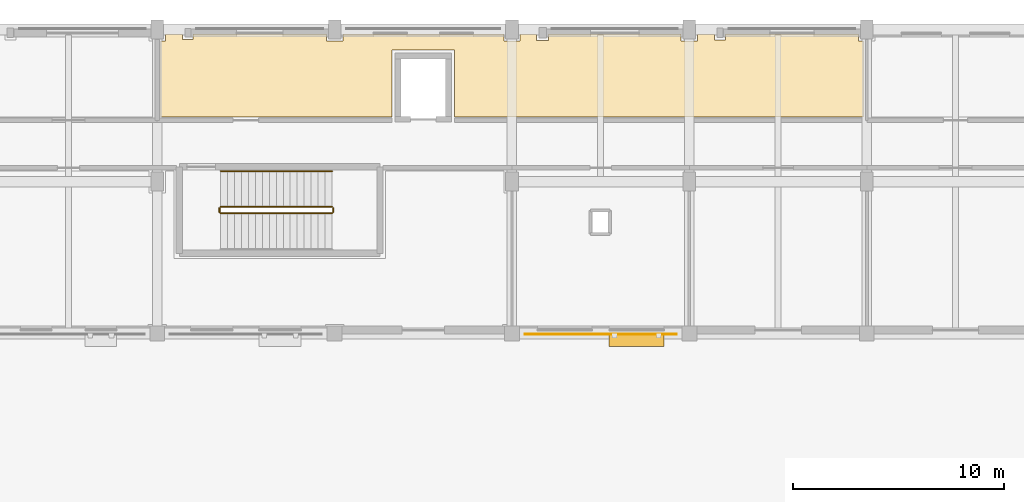
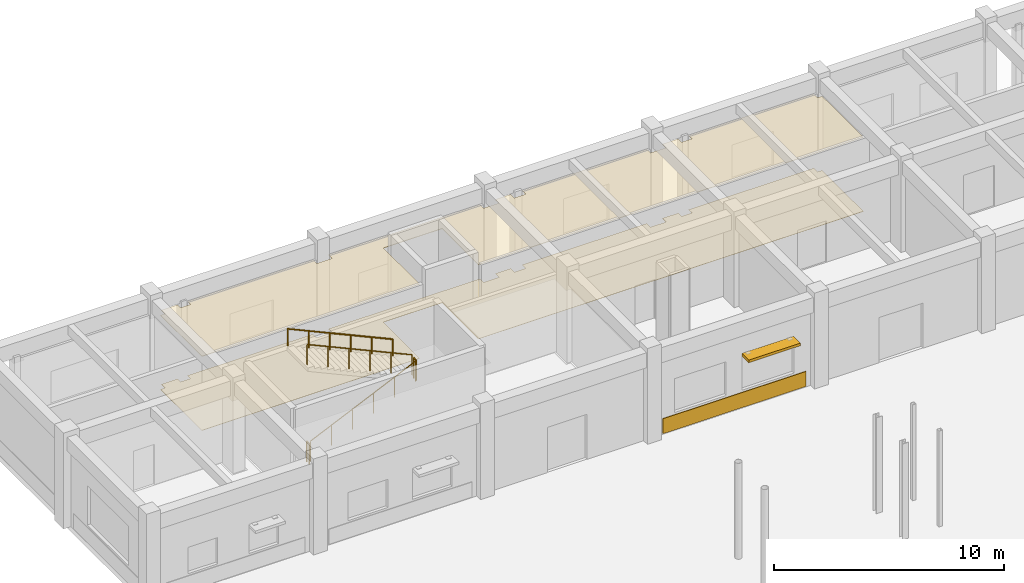
# One storey, part 111 of 121: 5 railings, 3 coverings, 1 shading device.
"""IFC4 building model written with IfcOpenShell, lengths in metres."""

from ifc_helpers import new_model, si_unit, direction, frame, origin, origin_2d, place, context, subcontext, project, spatial, polyline, rectangle, circle, outline, extrude, material, layer, layer_set, type_object, element, save


model = new_model("IFC4")

# Units and contexts
model_context = context("Model", 3, precision=1e-05, world=origin(), true_north=direction((0.0, 1.0)))
body_context = subcontext(model_context, "Body", "Model", "MODEL_VIEW")
ifc_project = project(units=[si_unit("LENGTHUNIT", "METRE"), si_unit("AREAUNIT", "SQUARE_METRE"), si_unit("VOLUMEUNIT", "CUBIC_METRE"), si_unit("PLANEANGLEUNIT", "RADIAN"), si_unit("MASSUNIT", "GRAM", prefix="KILO")], contexts=[model_context])

# Site, building, storey
site_placement = place(None, origin())
site = spatial("IfcSite", under=ifc_project, at=site_placement, CompositionType="ELEMENT")
building_placement = place(site_placement, origin())
building = spatial("IfcBuilding", under=site, at=building_placement, Name="Malvenik Polytechnic", CompositionType="ELEMENT")
storey_placement = place(building_placement, origin())
storey = spatial("IfcBuildingStorey", under=building, at=storey_placement, Name="L00", CompositionType="ELEMENT", Elevation=0.0)

# Coverings
ifc_material_1 = material(Name="Perforated mineral-fibre acoustic suspended ceiling 600x600", Category="gypsum")
ifc_layer_1 = layer(ifc_material_1, 0.02490234375)
ifc_layer_set_1 = layer_set([ifc_layer_1], Name="Perforated mineral-fibre acoustic suspended ceiling 600x600")
covering_type_1 = type_object("IfcCoveringType", Name="ARC-COV-CEIL-AC", PredefinedType="CEILING", material=ifc_layer_set_1)
covering_1_placement = place(storey_placement, frame((0.0, 0.0, 3.93505859375)))
element("IfcCovering", 1, at=covering_1_placement, inside=storey, type_object=covering_type_1, Name="Acoustic Ceiling L00 Hydraulics and Fluid Mechanics Laboratory", PredefinedType="CEILING", context=body_context, shape_type="SweptSolid", body=[
    extrude(outline(polyline([(9.60009765625, 129.1201171875), (10.10009765625, 129.1201171875), (10.10009765625, 129.3798828125), (16.409912109375, 129.3798828125), (16.409912109375, 129.06005859375), (17.18994140625, 129.06005859375), (17.18994140625, 129.3798828125), (24.81005859375, 129.3798828125), (24.81005859375, 129.06005859375), (25.590087890625, 129.06005859375), (25.590087890625, 129.3798828125), (26.364990234375, 129.3798828125), (26.364990234375, 129.070068359375), (26.93505859375, 129.070068359375), (26.93505859375, 129.3798828125), (33.2099609375, 129.3798828125), (33.2099609375, 129.06005859375), (33.989990234375, 129.06005859375), (33.989990234375, 129.3798828125), (34.7900390625, 129.3798828125), (34.7900390625, 129.094970703125), (35.31005859375, 129.094970703125), (35.31005859375, 129.3798828125), (41.610107421875, 129.3798828125), (41.610107421875, 129.06005859375), (41.840087890625, 129.06005859375), (41.840087890625, 125.4599609375), (22.47998046875, 125.4599609375), (22.47998046875, 128.6298828125), (19.52001953125, 128.6298828125), (19.52001953125, 125.4599609375), (8.56005859375, 125.4599609375), (8.56005859375, 129.06005859375), (8.7900390625, 129.06005859375), (8.7900390625, 129.3798828125), (9.60009765625, 129.3798828125), (9.60009765625, 129.1201171875)])), origin(), (0.0, 0.0, 1.0), 0.02490234375),
])
ifc_material_2 = material(Name="Glazed ochre architectural terracotta rainscreen tile 35mm", Category="masonry")
ifc_layer_2 = layer(ifc_material_2, 0.034912109375)
ifc_layer_set_2 = layer_set([ifc_layer_2], Name="Glazed ochre architectural terracotta rainscreen tile 35mm")
covering_type_2 = type_object("IfcCoveringType", Name="ARC-COV-CLAD-TERR", PredefinedType="CLADDING", material=ifc_layer_set_2)
covering_2_placement = place(storey_placement, frame((0.0, 0.0, 0.050048828125)))
element("IfcCovering", 2, at=covering_2_placement, inside=storey, type_object=covering_type_2, Name="Stone Rainscreen Band CL-02 L00 #39", PredefinedType="CLADDING", context=body_context, shape_type="SweptSolid", body=[
    extrude(outline(polyline([(33.001953125, 115.18408203125), (25.798095703125, 115.18408203125), (25.798095703125, 115.14892578125), (33.001953125, 115.14892578125), (33.001953125, 115.18408203125)])), origin(), (0.0, 0.0, 1.0), 0.800048828125),
])
ifc_material_3 = material(Name="Chemical-resistant seamless laboratory epoxy resin flooring 15mm", Category="plastic")
ifc_layer_3 = layer(ifc_material_3, 0.014892578125)
ifc_layer_set_3 = layer_set([ifc_layer_3], Name="Chemical-resistant seamless laboratory epoxy resin flooring 15mm")
covering_type_3 = type_object("IfcCoveringType", Name="ARC-COV-FLR-EPX", PredefinedType="FLOORING", material=ifc_layer_set_3)
covering_3_placement = place(storey_placement, origin())
element("IfcCovering", 3, at=covering_3_placement, inside=storey, type_object=covering_type_3, Name="Floor Finish FLR-02 L00 Hydraulics and Fluid Mechanics Laboratory", PredefinedType="FLOORING", context=body_context, shape_type="SweptSolid", body=[
    extrude(outline(polyline([(9.60009765625, 129.1201171875), (10.10009765625, 129.1201171875), (10.10009765625, 129.3798828125), (16.409912109375, 129.3798828125), (16.409912109375, 129.06005859375), (17.18994140625, 129.06005859375), (17.18994140625, 129.3798828125), (24.81005859375, 129.3798828125), (24.81005859375, 129.06005859375), (25.590087890625, 129.06005859375), (25.590087890625, 129.3798828125), (26.364990234375, 129.3798828125), (26.364990234375, 129.070068359375), (26.93505859375, 129.070068359375), (26.93505859375, 129.3798828125), (33.2099609375, 129.3798828125), (33.2099609375, 129.06005859375), (33.989990234375, 129.06005859375), (33.989990234375, 129.3798828125), (34.7900390625, 129.3798828125), (34.7900390625, 129.094970703125), (35.31005859375, 129.094970703125), (35.31005859375, 129.3798828125), (41.610107421875, 129.3798828125), (41.610107421875, 129.06005859375), (41.840087890625, 129.06005859375), (41.840087890625, 125.4599609375), (22.47998046875, 125.4599609375), (22.47998046875, 128.6298828125), (19.52001953125, 128.6298828125), (19.52001953125, 125.4599609375), (8.56005859375, 125.4599609375), (8.56005859375, 129.06005859375), (8.7900390625, 129.06005859375), (8.7900390625, 129.3798828125), (9.60009765625, 129.3798828125), (9.60009765625, 129.1201171875)])), origin(), (0.0, 0.0, 1.0), 0.014892578125),
])

# Railings
ifc_material_4 = material(Name="Painted galvanised steel stair well balustrade 1100mm", Category="steel")
ifc_layer_4 = layer(ifc_material_4, 0.050048828125)
ifc_layer_set_4 = layer_set([ifc_layer_4], Name="Painted galvanised steel stair well balustrade 1100mm")
railing_type_1 = type_object("IfcRailingType", Name="ARC-RL-STGD", PredefinedType="BALUSTRADE", material=ifc_layer_set_4)
railing_1_placement = place(storey_placement, frame((11.39990234375, 120.89990234375, 0.14990234375)))
element("IfcRailing", 4, at=railing_1_placement, inside=storey, type_object=railing_type_1, Name="L00 ST-01 stair guard 1", PredefinedType="BALUSTRADE", context=body_context, shape_type="SweptSolid", body=[
    extrude(circle(Radius=0.02392578125, at=origin_2d()), frame((0.0, 0.0, 1.076171875), z_axis=(0.910357827898, 0.0, 0.413821972815), x_axis=(0.0, 1.0, 0.0)), (0.0, 0.0, 1.0), 5.800048828125),
    extrude(circle(Radius=0.02099609375, at=origin_2d()), origin(), (0.0, 0.0, 1.0), 1.052001953125),
    extrude(circle(Radius=0.02099609375, at=origin_2d()), frame((1.055908203125, 0.0, 0.47998046875)), (0.0, 0.0, 1.0), 1.052001953125),
    extrude(circle(Radius=0.02099609375, at=origin_2d()), frame((2.112060546875, 0.0, 0.9599609375)), (0.0, 0.0, 1.0), 1.052001953125),
    extrude(circle(Radius=0.02099609375, at=origin_2d()), frame((3.16796875, 0.0, 1.440185546875)), (0.0, 0.0, 1.0), 1.052001953125),
    extrude(circle(Radius=0.02099609375, at=origin_2d()), frame((4.22412109375, 0.0, 1.920166015625)), (0.0, 0.0, 1.0), 1.052001953125),
    extrude(circle(Radius=0.02099609375, at=origin_2d()), frame((5.280029296875, 0.0, 2.400146484375)), (0.0, 0.0, 1.0), 1.052001953125),
])
railing_2_placement = place(storey_placement, frame((16.72998046875, 120.949951171875, 2.550048828125)))
element("IfcRailing", 5, at=railing_2_placement, inside=storey, type_object=railing_type_1, Name="L00 ST-01 stair guard 2", PredefinedType="BALUSTRADE", context=body_context, shape_type="SweptSolid", body=[
    extrude(circle(Radius=0.02392578125, at=origin_2d()), frame((0.0, 0.0, 1.076171875), z_axis=(0.0, 1.0, 0.0), x_axis=(-1.0, 0.0, 0.0)), (0.0, 0.0, 1.0), 0.199951171875),
    extrude(circle(Radius=0.02099609375, at=origin_2d()), origin(), (0.0, 0.0, 1.0), 1.052001953125),
    extrude(circle(Radius=0.02099609375, at=origin_2d()), frame((0.0, 0.199951171875, 0.0)), (0.0, 0.0, 1.0), 1.052001953125),
])
railing_3_placement = place(storey_placement, frame((16.679931640625, 121.199951171875, 2.699951171875)))
element("IfcRailing", 6, at=railing_3_placement, inside=storey, type_object=railing_type_1, Name="L00 ST-01 stair guard 3", PredefinedType="BALUSTRADE", context=body_context, shape_type="SweptSolid", body=[
    extrude(circle(Radius=0.02392578125, at=origin_2d()), frame((0.0, 0.0, 1.076171875), z_axis=(-0.910357827898, 0.0, 0.413821972815), x_axis=(0.0, -1.0, 0.0)), (0.0, 0.0, 1.0), 5.800048828125),
    extrude(circle(Radius=0.02099609375, at=origin_2d()), origin(), (0.0, 0.0, 1.0), 1.052001953125),
    extrude(circle(Radius=0.02099609375, at=origin_2d()), frame((-1.055908203125, 0.0, 0.47998046875)), (0.0, 0.0, 1.0), 1.052001953125),
    extrude(circle(Radius=0.02099609375, at=origin_2d()), frame((-2.112060546875, 0.0, 0.9599609375)), (0.0, 0.0, 1.0), 1.052001953125),
    extrude(circle(Radius=0.02099609375, at=origin_2d()), frame((-3.16796875, 0.0, 1.440185546875)), (0.0, 0.0, 1.0), 1.052001953125),
    extrude(circle(Radius=0.02099609375, at=origin_2d()), frame((-4.22412109375, 0.0, 1.920166015625)), (0.0, 0.0, 1.0), 1.052001953125),
    extrude(circle(Radius=0.02099609375, at=origin_2d()), frame((-5.280029296875, 0.0, 2.400146484375)), (0.0, 0.0, 1.0), 1.052001953125),
])
railing_4_placement = place(storey_placement, frame((11.35009765625, 120.949951171875, 0.0)))
element("IfcRailing", 7, at=railing_4_placement, inside=storey, type_object=railing_type_1, Name="L00 ST-01 stair guard 4", PredefinedType="BALUSTRADE", context=body_context, shape_type="SweptSolid", body=[
    extrude(circle(Radius=0.02392578125, at=origin_2d()), frame((0.0, 0.0, 1.076171875), z_axis=(0.0, 1.0, 0.0), x_axis=(-1.0, 0.0, 0.0)), (0.0, 0.0, 1.0), 0.199951171875),
    extrude(circle(Radius=0.02099609375, at=origin_2d()), origin(), (0.0, 0.0, 1.0), 1.052001953125),
    extrude(circle(Radius=0.02099609375, at=origin_2d()), frame((0.0, 0.199951171875, 0.0)), (0.0, 0.0, 1.0), 1.052001953125),
])
ifc_material_5 = material(Name="Brushed stainless steel 1.4301 stair wall handrail", Category="steel")
ifc_layer_5 = layer(ifc_material_5, 0.044921875)
ifc_layer_set_5 = layer_set([ifc_layer_5], Name="Brushed stainless steel 1.4301 stair wall handrail")
railing_type_2 = type_object("IfcRailingType", Name="ARC-RL-STHR", PredefinedType="HANDRAIL", material=ifc_layer_set_5)
railing_5_placement = place(storey_placement, frame((16.679931640625, 122.89990234375, 2.699951171875)))
element("IfcRailing", 8, at=railing_5_placement, inside=storey, type_object=railing_type_2, Name="L00 ST-01 stair handrail 2", PredefinedType="HANDRAIL", context=body_context, shape_type="SweptSolid", body=[
    extrude(circle(Radius=0.02392578125, at=origin_2d()), frame((0.0, 0.0, 0.8759765625), z_axis=(-0.910357827898, 0.0, 0.413821972815), x_axis=(0.0, -1.0, 0.0)), (0.0, 0.0, 1.0), 5.800048828125),
    extrude(circle(Radius=0.02099609375, at=origin_2d()), origin(), (0.0, 0.0, 1.0), 0.851806640625),
    extrude(circle(Radius=0.02099609375, at=origin_2d()), frame((-1.055908203125, 0.0, 0.47998046875)), (0.0, 0.0, 1.0), 0.851806640625),
    extrude(circle(Radius=0.02099609375, at=origin_2d()), frame((-2.112060546875, 0.0, 0.9599609375)), (0.0, 0.0, 1.0), 0.851806640625),
    extrude(circle(Radius=0.02099609375, at=origin_2d()), frame((-3.16796875, 0.0, 1.440185546875)), (0.0, 0.0, 1.0), 0.851806640625),
    extrude(circle(Radius=0.02099609375, at=origin_2d()), frame((-4.22412109375, 0.0, 1.920166015625)), (0.0, 0.0, 1.0), 0.851806640625),
    extrude(circle(Radius=0.02099609375, at=origin_2d()), frame((-5.280029296875, 0.0, 2.400146484375)), (0.0, 0.0, 1.0), 0.851806640625),
])

# Shading device
ifc_material_6 = material(Name="Extruded anodised aluminium solar brise-soleil louvre", Category="aluminium")
shading_device_type = type_object("IfcShadingDeviceType", Name="ARC-SHD-LOUVRE", PredefinedType="JALOUSIE", material=ifc_material_6)
shading_device_placement = place(storey_placement, frame((31.10205078125, 114.89990234375, 2.76025390625), z_axis=(0.0, 0.0, 1.0), x_axis=(1.0, 0.0, 0.0)))
element("IfcShadingDevice", 9, at=shading_device_placement, inside=storey, type_object=shading_device_type, Name="Solar Brise-Soleil Louvre SH-01 #11", PredefinedType="JALOUSIE", context=body_context, shape_type="SweptSolid", body=[
    extrude(rectangle(XDim=2.60009765625, YDim=0.60009765625, at=origin_2d()), origin(), (0.0, 0.0, 1.0), 0.139892578125),
])

save(model, "model.ifc")
